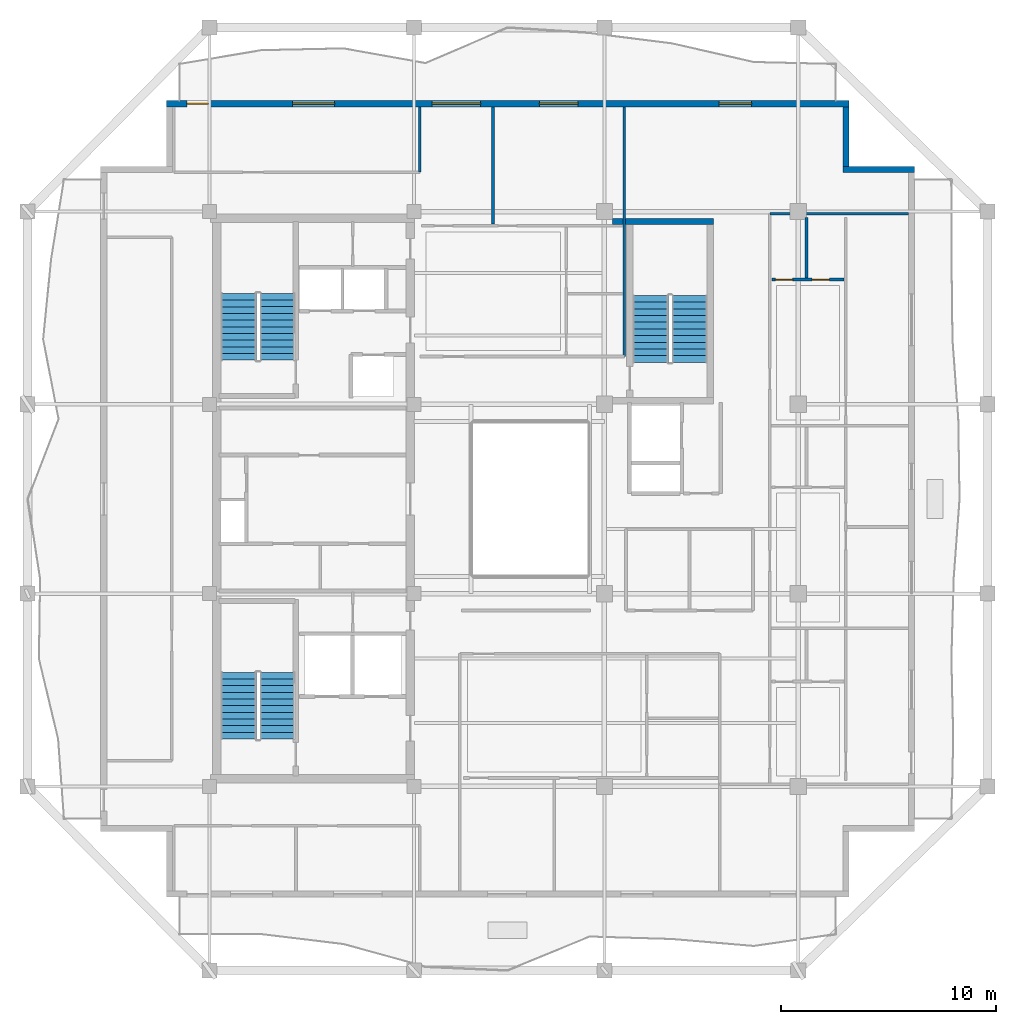
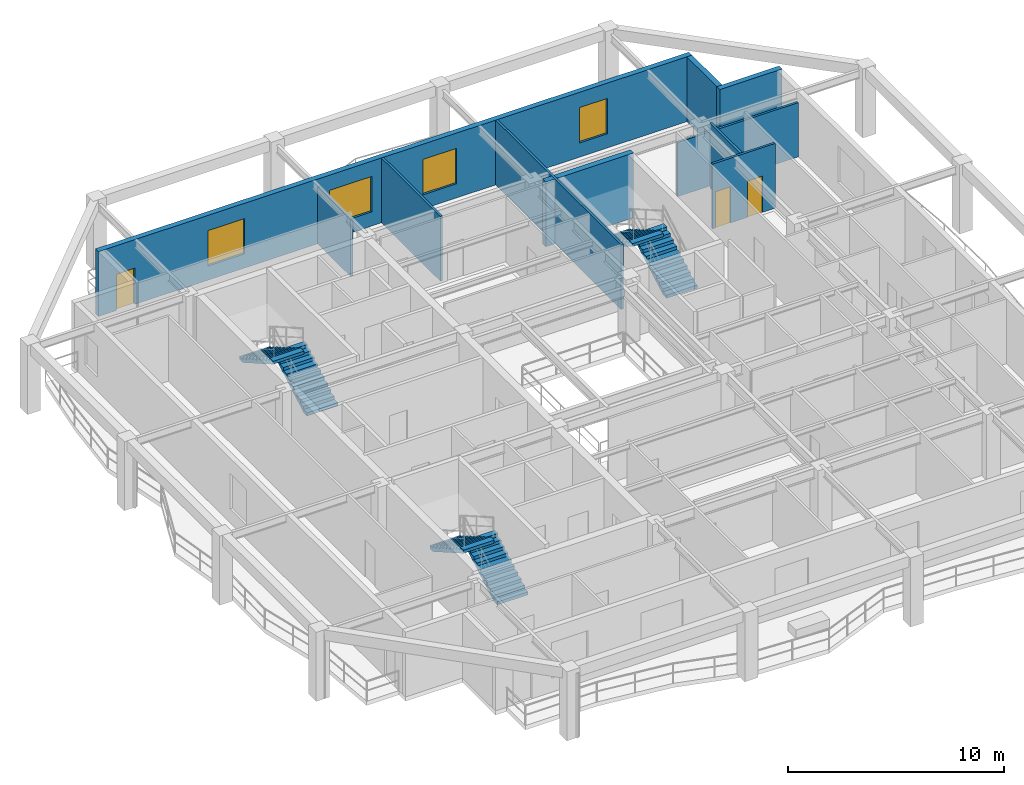
# One storey, part 6 of 10: 10 walls, 6 stair flights, 4 windows, 3 doors, 7 openings, 3 elements without a shape of their own.
"""IFC4 building model written with IfcOpenShell, lengths in metres."""

from ifc_helpers import new_model, si_unit, direction, frame, frame_2d, origin, place, context, subcontext, project, spatial, polyline, rectangle, outline, extrude, material, layer, layer_set, type_object, element, fill, aggregate, save


model = new_model("IFC4")

# Units and contexts
model_context = context("Model", 3, precision=1e-05, world=origin(), true_north=direction((0.0, 1.0)))
body_context = subcontext(model_context, "Body", "Model", "MODEL_VIEW")
ifc_project = project(units=[si_unit("LENGTHUNIT", "METRE"), si_unit("AREAUNIT", "SQUARE_METRE"), si_unit("VOLUMEUNIT", "CUBIC_METRE"), si_unit("PLANEANGLEUNIT", "RADIAN"), si_unit("MASSUNIT", "GRAM", prefix="KILO")], contexts=[model_context])

# Site, building, storey
site_placement = place(None, origin())
site = spatial("IfcSite", under=ifc_project, at=site_placement, CompositionType="ELEMENT")
building_placement = place(site_placement, origin())
building = spatial("IfcBuilding", under=site, at=building_placement, Name="Kundavana Baori Tower", CompositionType="ELEMENT")
storey_placement = place(building_placement, frame((0.0, 0.0, 284.300048828125)))
storey = spatial("IfcBuildingStorey", under=building, at=storey_placement, Name="L70", CompositionType="ELEMENT", Elevation=284.300048828125)

# Walls
ifc_material_1 = material(Name="Red-Buff Dholpur Sandstone Cladding on Concrete C40/50", Category="masonry")
ifc_layer_1 = layer(ifc_material_1, 0.280029296875, Name="WL-EXT-SAND-280")
ifc_layer_set_1 = layer_set([ifc_layer_1], Name="Red-Buff Dholpur Sandstone Cladding on Concrete C40/50")
wall_type_1 = type_object("IfcWallType", Name="WL-EXT-SAND-280", PredefinedType="STANDARD", material=ifc_layer_set_1)
wall_1_placement = place(storey_placement, frame((48.199951171875, 43.909912109375, 0.0), z_axis=(0.0, 0.0, 1.0), x_axis=(-1.0, 0.0, 0.0)))
element("IfcWall", 1, at=wall_1_placement, inside=storey, type_object=wall_type_1, Name="L70 Exterior Insulated Facade Wall 05", PredefinedType="STANDARD", context=body_context, shape_type="SweptSolid", body=[
    extrude(rectangle(XDim=3.329833984375, YDim=0.280029296875, at=frame_2d((1.6650390625, 0.0))), origin(), (0.0, 0.0, 1.0), 3.659912109375),
])
wall_2_placement = place(storey_placement, frame((45.010009765625, 44.050048828125, 0.0), z_axis=(0.0, 0.0, 1.0), x_axis=(0.0, 1.0, 0.0)))
element("IfcWall", 2, at=wall_2_placement, inside=storey, type_object=wall_type_1, Name="L70 Exterior Insulated Facade Wall 06", PredefinedType="STANDARD", context=body_context, shape_type="SweptSolid", body=[
    extrude(rectangle(XDim=2.77001953125, YDim=0.280029296875, at=frame_2d((1.385009765625, 0.0))), origin(), (0.0, 0.0, 1.0), 3.659912109375),
])

# Wall, openings, door, windows
wall_3_placement = place(storey_placement, frame((45.14990234375, 46.9599609375, 0.0), z_axis=(0.0, 0.0, 1.0), x_axis=(-1.0, 0.0, 0.0)))
wall_3 = element("IfcWall", 3, at=wall_3_placement, inside=storey, type_object=wall_type_1, Name="L70 Exterior Insulated Facade Wall 07", PredefinedType="STANDARD", context=body_context, shape_type="SweptSolid", body=[
    extrude(rectangle(XDim=31.699951171875, YDim=0.280029296875, at=frame_2d((15.85009765625, 0.0))), origin(), (0.0, 0.0, 1.0), 3.659912109375),
])
opening_1_placement = place(wall_3_placement, frame((29.75, 0.0, 0.0)))
opening_1 = element("IfcOpeningElement", 4, at=opening_1_placement, cuts=wall_3, Name="Opening BD-1", PredefinedType="OPENING", context=body_context, shape_type="SweptSolid", body=[
    extrude(rectangle(XDim=1.0, YDim=2.050048828125, at=frame_2d((0.5, 1.02490234375))), frame((0.0, 0.14990234375, 0.0), z_axis=(0.0, -1.0, 0.0), x_axis=(1.0, 0.0, 0.0)), (0.0, 0.0, 1.0), 0.300048828125),
])
opening_2_placement = place(wall_3_placement, frame((23.889892578125, 0.0, 0.800048828125)))
opening_2 = element("IfcOpeningElement", 5, at=opening_2_placement, cuts=wall_3, Name="Opening W-09", PredefinedType="OPENING", context=body_context, shape_type="SweptSolid", body=[
    extrude(rectangle(XDim=1.949951171875, YDim=2.0, at=frame_2d((0.97509765625, 1.0))), frame((0.0, 0.14990234375, 0.0), z_axis=(0.0, -1.0, 0.0), x_axis=(1.0, 0.0, 0.0)), (0.0, 0.0, 1.0), 0.300048828125),
])
opening_3_placement = place(wall_3_placement, frame((17.10302734375, 0.0, 0.800048828125)))
opening_3 = element("IfcOpeningElement", 6, at=opening_3_placement, cuts=wall_3, Name="Opening W-10", PredefinedType="OPENING", context=body_context, shape_type="SweptSolid", body=[
    extrude(rectangle(XDim=2.25, YDim=2.0, at=frame_2d((1.125, 1.0))), frame((0.0, 0.14990234375, 0.0), z_axis=(0.0, -1.0, 0.0), x_axis=(1.0, 0.0, 0.0)), (0.0, 0.0, 1.0), 0.300048828125),
])
opening_4_placement = place(wall_3_placement, frame((12.577880859375, 0.0, 0.800048828125)))
opening_4 = element("IfcOpeningElement", 7, at=opening_4_placement, cuts=wall_3, Name="Opening W-01", PredefinedType="OPENING", context=body_context, shape_type="SweptSolid", body=[
    extrude(rectangle(XDim=1.800048828125, YDim=2.0, at=frame_2d((0.89990234375, 1.0))), frame((0.0, 0.14990234375, 0.0), z_axis=(0.0, -1.0, 0.0), x_axis=(1.0, 0.0, 0.0)), (0.0, 0.0, 1.0), 0.300048828125),
])
opening_5_placement = place(wall_3_placement, frame((4.52001953125, 0.0, 0.800048828125)))
opening_5 = element("IfcOpeningElement", 8, at=opening_5_placement, cuts=wall_3, Name="Opening W-02", PredefinedType="OPENING", context=body_context, shape_type="SweptSolid", body=[
    extrude(rectangle(XDim=1.5, YDim=2.0, at=frame_2d((0.75, 1.0))), frame((0.0, 0.14990234375, 0.0), z_axis=(0.0, -1.0, 0.0), x_axis=(1.0, 0.0, 0.0)), (0.0, 0.0, 1.0), 0.300048828125),
])
ifc_material_2 = material(Name="Architectural Patinated Bronze Metalwork")
door_type_1 = type_object("IfcDoorType", Name="DR-EXT-LOG-1000", OperationType="NOTDEFINED", PredefinedType="DOOR", material=ifc_material_2)
door_1_placement = place(opening_1_placement, frame((1.0, 0.0, 0.0), z_axis=(0.0, 0.0, 1.0), x_axis=(-1.0, 0.0, 0.0)))
door_1 = element("IfcDoor", 9, at=door_1_placement, inside=storey, type_object=door_type_1, Name="L70 Loggia Balcony Access Door N", OperationType="SINGLE_SWING_LEFT", OverallHeight=2.050048828125, OverallWidth=1.0, PredefinedType="DOOR", context=body_context, shape_type="SweptSolid", body=[
    extrude(rectangle(XDim=1.0, YDim=2.050048828125, at=frame_2d((0.5, 1.02490234375))), frame((0.0, 0.02490234375, 0.0), z_axis=(0.0, -1.0, 0.0), x_axis=(1.0, 0.0, 0.0)), (0.0, 0.0, 1.0), 0.050048828125),
])
fill(opening_1, door_1)
ifc_material_3 = material(Name="Double-Glazed Solar-Control Low-E Insulated Glass", Category="glass")
window_type_1 = type_object("IfcWindowType", Name="WIN-LOG-1500x2000", PartitioningType="SINGLE_PANEL", PredefinedType="WINDOW", material=ifc_material_3)
window_1_placement = place(opening_5_placement, origin())
window_1 = element("IfcWindow", 10, at=window_1_placement, inside=storey, type_object=window_type_1, Name="L70 Recessed Loggia Window N-4", OverallHeight=2.0, OverallWidth=1.5, PartitioningType="SINGLE_PANEL", PredefinedType="WINDOW", context=body_context, shape_type="SweptSolid", body=[
    extrude(rectangle(XDim=1.5, YDim=2.0, at=frame_2d((0.75, 1.0))), frame((0.0, 0.030029296875, 0.0), z_axis=(0.0, -1.0, 0.0), x_axis=(1.0, 0.0, 0.0)), (0.0, 0.0, 1.0), 0.06005859375),
])
fill(opening_5, window_1)
ifc_material_4 = material(Name="Double-Glazed Solar-Control Low-E Insulated Glass", Category="glass")
window_type_2 = type_object("IfcWindowType", Name="WIN-LOG-1800x2000", PartitioningType="SINGLE_PANEL", PredefinedType="WINDOW", material=ifc_material_4)
window_2_placement = place(opening_4_placement, origin())
window_2 = element("IfcWindow", 11, at=window_2_placement, inside=storey, type_object=window_type_2, Name="L70 Recessed Loggia Window N-3", OverallHeight=2.0, OverallWidth=1.800048828125, PartitioningType="SINGLE_PANEL", PredefinedType="WINDOW", context=body_context, shape_type="SweptSolid", body=[
    extrude(rectangle(XDim=1.800048828125, YDim=2.0, at=frame_2d((0.89990234375, 1.0))), frame((0.0, 0.030029296875, 0.0), z_axis=(0.0, -1.0, 0.0), x_axis=(1.0, 0.0, 0.0)), (0.0, 0.0, 1.0), 0.06005859375),
])
fill(opening_4, window_2)
ifc_material_5 = material(Name="Double-Glazed Solar-Control Low-E Insulated Glass", Category="glass")
window_type_3 = type_object("IfcWindowType", Name="WIN-LOG-1950x2000", PartitioningType="SINGLE_PANEL", PredefinedType="WINDOW", material=ifc_material_5)
window_3_placement = place(opening_2_placement, origin())
window_3 = element("IfcWindow", 12, at=window_3_placement, inside=storey, type_object=window_type_3, Name="L70 Recessed Loggia Window N-1", OverallHeight=2.0, OverallWidth=1.949951171875, PartitioningType="SINGLE_PANEL", PredefinedType="WINDOW", context=body_context, shape_type="SweptSolid", body=[
    extrude(rectangle(XDim=1.949951171875, YDim=2.0, at=frame_2d((0.97509765625, 1.0))), frame((0.0, 0.030029296875, 0.0), z_axis=(0.0, -1.0, 0.0), x_axis=(1.0, 0.0, 0.0)), (0.0, 0.0, 1.0), 0.06005859375),
])
fill(opening_2, window_3)
ifc_material_6 = material(Name="Double-Glazed Solar-Control Low-E Insulated Glass", Category="glass")
window_type_4 = type_object("IfcWindowType", Name="WIN-LOG-2250x2000", PartitioningType="SINGLE_PANEL", PredefinedType="WINDOW", material=ifc_material_6)
window_4_placement = place(opening_3_placement, origin())
window_4 = element("IfcWindow", 13, at=window_4_placement, inside=storey, type_object=window_type_4, Name="L70 Recessed Loggia Window N-2", OverallHeight=2.0, OverallWidth=2.25, PartitioningType="SINGLE_PANEL", PredefinedType="WINDOW", context=body_context, shape_type="SweptSolid", body=[
    extrude(rectangle(XDim=2.25, YDim=2.0, at=frame_2d((1.125, 1.0))), frame((0.0, 0.030029296875, 0.0), z_axis=(0.0, -1.0, 0.0), x_axis=(1.0, 0.0, 0.0)), (0.0, 0.0, 1.0), 0.06005859375),
])
fill(opening_3, window_4)

# Walls
ifc_material_7 = material(Name="Acoustic Gypsum Plasterboard on Galvanised Steel Studs", Category="steel")
ifc_layer_2 = layer(ifc_material_7, 0.1201171875, Name="WL-PART-120")
ifc_layer_set_2 = layer_set([ifc_layer_2], Name="Acoustic Gypsum Plasterboard on Galvanised Steel Studs")
wall_type_2 = type_object("IfcWallType", Name="WL-PART-120", PredefinedType="PARTITIONING", material=ifc_layer_set_2)
wall_4_placement = place(storey_placement, frame((25.219970703125, 43.780029296875, 0.0), z_axis=(0.0, 0.0, 1.0), x_axis=(0.0, 1.0, 0.0)))
element("IfcWall", 14, at=wall_4_placement, inside=storey, type_object=wall_type_2, Name="WL-L70-RNCE", PredefinedType="PARTITIONING", context=body_context, shape_type="SweptSolid", body=[
    extrude(rectangle(XDim=3.0400390625, YDim=0.1201171875, at=frame_2d((1.52001953125, 0.0))), origin(), (0.0, 0.0, 1.0), 3.2099609375),
])
wall_5_placement = place(storey_placement, frame((34.719970703125, 35.219970703125, 0.0), z_axis=(0.0, 0.0, 1.0), x_axis=(0.0, 1.0, 0.0)))
element("IfcWall", 15, at=wall_5_placement, inside=storey, type_object=wall_type_2, Name="WL-L70-RNEND", PredefinedType="PARTITIONING", context=body_context, shape_type="SweptSolid", body=[
    extrude(rectangle(XDim=11.60009765625, YDim=0.1201171875, at=frame_2d((5.800048828125, 0.0))), origin(), (0.0, 0.0, 1.0), 3.659912109375),
])
wall_6_placement = place(storey_placement, frame((28.623046875, 41.3701171875, 0.0), z_axis=(0.0, 0.0, 1.0), x_axis=(0.0, 1.0, 0.0)))
element("IfcWall", 16, at=wall_6_placement, inside=storey, type_object=wall_type_2, Name="WL-L70-N1-BDV", PredefinedType="PARTITIONING", context=body_context, shape_type="SweptSolid", body=[
    extrude(rectangle(XDim=5.449951171875, YDim=0.1201171875, at=frame_2d((2.72509765625, 0.0))), origin(), (0.0, 0.0, 1.0), 3.659912109375),
])
wall_7_placement = place(storey_placement, frame((41.47998046875, 41.85009765625, 0.0), z_axis=(0.0, 0.0, 1.0), x_axis=(1.0, 0.0, 0.0)))
element("IfcWall", 17, at=wall_7_placement, inside=storey, type_object=wall_type_2, Name="WL-L70-REN", PredefinedType="PARTITIONING", context=body_context, shape_type="SweptSolid", body=[
    extrude(rectangle(XDim=6.43994140625, YDim=0.1201171875, at=frame_2d((3.219970703125, 0.0))), origin(), (0.0, 0.0, 1.0), 3.06005859375),
])
ifc_material_8 = material(Name="Concrete C50/60", Category="concrete")
ifc_layer_3 = layer(ifc_material_8, 0.300048828125, Name="WL-ST3-300")
ifc_layer_set_3 = layer_set([ifc_layer_3], Name="Concrete C50/60")
wall_type_3 = type_object("IfcWallType", Name="WL-ST3-300", PredefinedType="SHEAR", material=ifc_layer_set_3)
wall_8_placement = place(storey_placement, frame((34.175048828125, 41.489990234375, 0.0), z_axis=(0.0, 0.0, 1.0), x_axis=(1.0, 0.0, 0.0)))
element("IfcWall", 18, at=wall_8_placement, inside=storey, type_object=wall_type_3, Name="L70 Stair ST3 North Shear Wall", PredefinedType="SHEAR", context=body_context, shape_type="SweptSolid", body=[
    extrude(rectangle(XDim=4.695068359375, YDim=0.300048828125, at=frame_2d((2.34765625, 0.0))), origin(), (0.0, 0.0, 1.0), 3.659912109375),
])

# Wall, openings, doors
ifc_material_9 = material(Name="Autoclaved Aerated Concrete Blockwork Masonry", Category="masonry")
ifc_layer_4 = layer(ifc_material_9, 0.125, Name="WL-WET-120")
ifc_layer_set_4 = layer_set([ifc_layer_4], Name="Autoclaved Aerated Concrete Blockwork Masonry")
wall_type_4 = type_object("IfcWallType", Name="WL-WET-120", PredefinedType="PLUMBINGWALL", material=ifc_layer_set_4)
wall_9_placement = place(storey_placement, frame((41.580078125, 38.79296875, 0.0), z_axis=(0.0, 0.0, 1.0), x_axis=(1.0, 0.0, 0.0)))
wall_9 = element("IfcWall", 19, at=wall_9_placement, inside=storey, type_object=wall_type_4, Name="WL-L70-E3-KH", PredefinedType="PLUMBINGWALL", context=body_context, shape_type="SweptSolid", body=[
    extrude(rectangle(XDim=3.343994140625, YDim=0.125, at=frame_2d((1.671875, 0.0))), origin(), (0.0, 0.0, 1.0), 3.659912109375),
])
opening_6_placement = place(wall_9_placement, frame((0.159912109375, 0.0, 0.0)))
opening_6 = element("IfcOpeningElement", 20, at=opening_6_placement, cuts=wall_9, Name="Opening WD-080", PredefinedType="OPENING", context=body_context, shape_type="SweptSolid", body=[
    extrude(rectangle(XDim=0.800048828125, YDim=2.050048828125, at=frame_2d((0.39990234375, 1.02490234375))), frame((0.0, 0.072509765625, 0.0), z_axis=(0.0, -1.0, 0.0), x_axis=(1.0, 0.0, 0.0)), (0.0, 0.0, 1.0), 0.14501953125),
])
opening_7_placement = place(wall_9_placement, frame((1.864990234375, 0.0, 0.0)))
opening_7 = element("IfcOpeningElement", 21, at=opening_7_placement, cuts=wall_9, Name="Opening WD-080", PredefinedType="OPENING", context=body_context, shape_type="SweptSolid", body=[
    extrude(rectangle(XDim=0.800048828125, YDim=2.050048828125, at=frame_2d((0.39990234375, 1.02490234375))), frame((0.0, 0.072509765625, 0.0), z_axis=(0.0, -1.0, 0.0), x_axis=(1.0, 0.0, 0.0)), (0.0, 0.0, 1.0), 0.14501953125),
])
ifc_material_10 = material(Name="Engineered Teak Solid-Core Timber Veneer", Category="wood")
door_type_2 = type_object("IfcDoorType", Name="DR-WET-800", OperationType="NOTDEFINED", PredefinedType="DOOR", material=ifc_material_10)
door_2_placement = place(opening_6_placement, origin())
door_2 = element("IfcDoor", 22, at=door_2_placement, inside=storey, type_object=door_type_2, Name="DR-L70-E3-BT", OperationType="SINGLE_SWING_LEFT", OverallHeight=2.050048828125, OverallWidth=0.800048828125, PredefinedType="DOOR", context=body_context, shape_type="SweptSolid", body=[
    extrude(rectangle(XDim=0.800048828125, YDim=2.050048828125, at=frame_2d((0.39990234375, 1.02490234375))), frame((0.0, 0.02490234375, 0.0), z_axis=(0.0, -1.0, 0.0), x_axis=(1.0, 0.0, 0.0)), (0.0, 0.0, 1.0), 0.050048828125),
])
fill(opening_6, door_2)
door_3_placement = place(opening_7_placement, origin())
door_3 = element("IfcDoor", 23, at=door_3_placement, inside=storey, type_object=door_type_2, Name="DR-L70-E3-KT", OperationType="SINGLE_SWING_RIGHT", OverallHeight=2.050048828125, OverallWidth=0.800048828125, PredefinedType="DOOR", context=body_context, shape_type="SweptSolid", body=[
    extrude(rectangle(XDim=0.800048828125, YDim=2.050048828125, at=frame_2d((0.39990234375, 1.02490234375))), frame((0.0, 0.02490234375, 0.0), z_axis=(0.0, -1.0, 0.0), x_axis=(1.0, 0.0, 0.0)), (0.0, 0.0, 1.0), 0.050048828125),
])
fill(opening_7, door_3)

# Wall
wall_10_placement = place(storey_placement, frame((43.18505859375, 38.873046875, 0.0), z_axis=(0.0, 0.0, 1.0), x_axis=(0.0, 1.0, 0.0)))
element("IfcWall", 24, at=wall_10_placement, inside=storey, type_object=wall_type_4, Name="WL-L70-E3-BV", PredefinedType="PLUMBINGWALL", context=body_context, shape_type="SweptSolid", body=[
    extrude(rectangle(XDim=2.796875, YDim=0.125, at=frame_2d((1.3984375, 0.0))), origin(), (0.0, 0.0, 1.0), 3.659912109375),
])

# Stair, stair flights
ifc_material_11 = material(Name="Concrete C40/50", Category="concrete")
stair_type = type_object("IfcStairType", Name="STR-DOG-1650", PredefinedType="HALF_TURN_STAIR", material=ifc_material_11)
stair_1_placement = place(storey_placement, origin())
stair_1 = element("IfcStair", 25, at=stair_1_placement, inside=storey, type_object=stair_type, Name="L70 Protected Exit Stair ST1", PredefinedType="HALF_TURN_STAIR")
ifc_material_12 = material(Name="Concrete C40/50", Category="concrete")
stair_flight_type = type_object("IfcStairFlightType", Name="SFL-RC-1650", PredefinedType="STRAIGHT", material=ifc_material_12)
stair_flight_1_placement = place(storey_placement, frame((18.614990234375, 17.449951171875, 0.0), z_axis=(0.0, 0.0, 1.0), x_axis=(0.0, 1.0, 0.0)))
stair_flight_1 = element("IfcStairFlight", 26, at=stair_flight_1_placement, type_object=stair_flight_type, Name="ST1 flight 1", NumberOfRisers=11, NumberOfTreads=10, PredefinedType="STRAIGHT", RiserHeight=0.177272727, TreadLength=0.31, context=body_context, shape_type="SweptSolid", body=[
    extrude(outline(polyline([(0.0, 0.0), (0.0, 0.17724609375), (0.31005859375, 0.17724609375), (0.31005859375, 0.3544921875), (0.6201171875, 0.3544921875), (0.6201171875, 0.53173828125), (0.929931640625, 0.53173828125), (0.929931640625, 0.708984375), (1.239990234375, 0.708984375), (1.239990234375, 0.886474609375), (1.550048828125, 0.886474609375), (1.550048828125, 1.063720703125), (1.860107421875, 1.063720703125), (1.860107421875, 1.240966796875), (2.169921875, 1.240966796875), (2.169921875, 1.418212890625), (2.47998046875, 1.418212890625), (2.47998046875, 1.595458984375), (2.7900390625, 1.595458984375), (2.7900390625, 1.772705078125), (3.10009765625, 1.772705078125), (3.10009765625, 1.949951171875), (3.10009765625, 1.60009765625), (0.302001953125, 0.0), (0.0, 0.0)])), frame((0.0, 0.824951171875, 0.0), z_axis=(0.0, -1.0, 0.0), x_axis=(1.0, 0.0, 0.0)), (0.0, 0.0, 1.0), 1.64990234375),
])
stair_flight_2_placement = place(storey_placement, frame((16.804931640625, 20.550048828125, 1.949951171875), z_axis=(0.0, 0.0, 1.0), x_axis=(0.0, -1.0, 0.0)))
stair_flight_2 = element("IfcStairFlight", 27, at=stair_flight_2_placement, type_object=stair_flight_type, Name="ST1 flight 2", NumberOfRisers=11, NumberOfTreads=10, PredefinedType="STRAIGHT", RiserHeight=0.177272727, TreadLength=0.31, context=body_context, shape_type="SweptSolid", body=[
    extrude(outline(polyline([(0.0, 0.0), (0.0, 0.17724609375), (0.31005859375, 0.17724609375), (0.31005859375, 0.3544921875), (0.6201171875, 0.3544921875), (0.6201171875, 0.53173828125), (0.929931640625, 0.53173828125), (0.929931640625, 0.708984375), (1.239990234375, 0.708984375), (1.239990234375, 0.886474609375), (1.550048828125, 0.886474609375), (1.550048828125, 1.063720703125), (1.860107421875, 1.063720703125), (1.860107421875, 1.240966796875), (2.169921875, 1.240966796875), (2.169921875, 1.418212890625), (2.47998046875, 1.418212890625), (2.47998046875, 1.595458984375), (2.7900390625, 1.595458984375), (2.7900390625, 1.772705078125), (3.10009765625, 1.772705078125), (3.10009765625, 1.949951171875), (3.10009765625, 1.60009765625), (0.302001953125, 0.0), (0.0, 0.0)])), frame((0.0, 0.824951171875, 0.0), z_axis=(0.0, -1.0, 0.0), x_axis=(1.0, 0.0, 0.0)), (0.0, 0.0, 1.0), 1.64990234375),
])
aggregate(stair_1, [stair_flight_1, stair_flight_2])

stair_2_placement = place(storey_placement, origin())
stair_2 = element("IfcStair", 28, at=stair_2_placement, inside=storey, type_object=stair_type, Name="L70 Protected Exit Stair ST2", PredefinedType="HALF_TURN_STAIR")
stair_flight_3_placement = place(storey_placement, frame((18.614990234375, 35.050048828125, 0.0), z_axis=(0.0, 0.0, 1.0), x_axis=(0.0, 1.0, 0.0)))
stair_flight_3 = element("IfcStairFlight", 29, at=stair_flight_3_placement, type_object=stair_flight_type, Name="ST2 flight 1", NumberOfRisers=11, NumberOfTreads=10, PredefinedType="STRAIGHT", RiserHeight=0.177272727, TreadLength=0.31, context=body_context, shape_type="SweptSolid", body=[
    extrude(outline(polyline([(0.0, 0.0), (0.0, 0.17724609375), (0.31005859375, 0.17724609375), (0.31005859375, 0.3544921875), (0.6201171875, 0.3544921875), (0.6201171875, 0.53173828125), (0.929931640625, 0.53173828125), (0.929931640625, 0.708984375), (1.239990234375, 0.708984375), (1.239990234375, 0.886474609375), (1.550048828125, 0.886474609375), (1.550048828125, 1.063720703125), (1.860107421875, 1.063720703125), (1.860107421875, 1.240966796875), (2.169921875, 1.240966796875), (2.169921875, 1.418212890625), (2.47998046875, 1.418212890625), (2.47998046875, 1.595458984375), (2.7900390625, 1.595458984375), (2.7900390625, 1.772705078125), (3.10009765625, 1.772705078125), (3.10009765625, 1.949951171875), (3.10009765625, 1.60009765625), (0.302001953125, 0.0), (0.0, 0.0)])), frame((0.0, 0.824951171875, 0.0), z_axis=(0.0, -1.0, 0.0), x_axis=(1.0, 0.0, 0.0)), (0.0, 0.0, 1.0), 1.64990234375),
])
stair_flight_4_placement = place(storey_placement, frame((16.804931640625, 38.14990234375, 1.949951171875), z_axis=(0.0, 0.0, 1.0), x_axis=(0.0, -1.0, 0.0)))
stair_flight_4 = element("IfcStairFlight", 30, at=stair_flight_4_placement, type_object=stair_flight_type, Name="ST2 flight 2", NumberOfRisers=11, NumberOfTreads=10, PredefinedType="STRAIGHT", RiserHeight=0.177272727, TreadLength=0.31, context=body_context, shape_type="SweptSolid", body=[
    extrude(outline(polyline([(0.0, 0.0), (0.0, 0.17724609375), (0.31005859375, 0.17724609375), (0.31005859375, 0.3544921875), (0.6201171875, 0.3544921875), (0.6201171875, 0.53173828125), (0.929931640625, 0.53173828125), (0.929931640625, 0.708984375), (1.239990234375, 0.708984375), (1.239990234375, 0.886474609375), (1.550048828125, 0.886474609375), (1.550048828125, 1.063720703125), (1.860107421875, 1.063720703125), (1.860107421875, 1.240966796875), (2.169921875, 1.240966796875), (2.169921875, 1.418212890625), (2.47998046875, 1.418212890625), (2.47998046875, 1.595458984375), (2.7900390625, 1.595458984375), (2.7900390625, 1.772705078125), (3.10009765625, 1.772705078125), (3.10009765625, 1.949951171875), (3.10009765625, 1.60009765625), (0.302001953125, 0.0), (0.0, 0.0)])), frame((0.0, 0.824951171875, 0.0), z_axis=(0.0, -1.0, 0.0), x_axis=(1.0, 0.0, 0.0)), (0.0, 0.0, 1.0), 1.64990234375),
])
aggregate(stair_2, [stair_flight_3, stair_flight_4])

stair_3_placement = place(storey_placement, origin())
stair_3 = element("IfcStair", 31, at=stair_3_placement, inside=storey, type_object=stair_type, Name="L70 Protected Exit Stair ST3", PredefinedType="HALF_TURN_STAIR")
stair_flight_5_placement = place(storey_placement, frame((37.7548828125, 34.949951171875, 0.0), z_axis=(0.0, 0.0, 1.0), x_axis=(0.0, 1.0, 0.0)))
stair_flight_5 = element("IfcStairFlight", 32, at=stair_flight_5_placement, type_object=stair_flight_type, Name="ST3 flight 1", NumberOfRisers=11, NumberOfTreads=10, PredefinedType="STRAIGHT", RiserHeight=0.177272727, TreadLength=0.31, context=body_context, shape_type="SweptSolid", body=[
    extrude(outline(polyline([(0.0, 0.0), (0.0, 0.17724609375), (0.31005859375, 0.17724609375), (0.31005859375, 0.3544921875), (0.6201171875, 0.3544921875), (0.6201171875, 0.53173828125), (0.929931640625, 0.53173828125), (0.929931640625, 0.708984375), (1.239990234375, 0.708984375), (1.239990234375, 0.886474609375), (1.550048828125, 0.886474609375), (1.550048828125, 1.063720703125), (1.860107421875, 1.063720703125), (1.860107421875, 1.240966796875), (2.169921875, 1.240966796875), (2.169921875, 1.418212890625), (2.47998046875, 1.418212890625), (2.47998046875, 1.595458984375), (2.7900390625, 1.595458984375), (2.7900390625, 1.772705078125), (3.10009765625, 1.772705078125), (3.10009765625, 1.949951171875), (3.10009765625, 1.60009765625), (0.302001953125, 0.0), (0.0, 0.0)])), frame((0.0, 0.824951171875, 0.0), z_axis=(0.0, -1.0, 0.0), x_axis=(1.0, 0.0, 0.0)), (0.0, 0.0, 1.0), 1.64990234375),
])
stair_flight_6_placement = place(storey_placement, frame((35.945068359375, 38.050048828125, 1.949951171875), z_axis=(0.0, 0.0, 1.0), x_axis=(0.0, -1.0, 0.0)))
stair_flight_6 = element("IfcStairFlight", 33, at=stair_flight_6_placement, type_object=stair_flight_type, Name="ST3 flight 2", NumberOfRisers=11, NumberOfTreads=10, PredefinedType="STRAIGHT", RiserHeight=0.177272727, TreadLength=0.31, context=body_context, shape_type="SweptSolid", body=[
    extrude(outline(polyline([(0.0, 0.0), (0.0, 0.17724609375), (0.31005859375, 0.17724609375), (0.31005859375, 0.3544921875), (0.6201171875, 0.3544921875), (0.6201171875, 0.53173828125), (0.929931640625, 0.53173828125), (0.929931640625, 0.708984375), (1.239990234375, 0.708984375), (1.239990234375, 0.886474609375), (1.550048828125, 0.886474609375), (1.550048828125, 1.063720703125), (1.860107421875, 1.063720703125), (1.860107421875, 1.240966796875), (2.169921875, 1.240966796875), (2.169921875, 1.418212890625), (2.47998046875, 1.418212890625), (2.47998046875, 1.595458984375), (2.7900390625, 1.595458984375), (2.7900390625, 1.772705078125), (3.10009765625, 1.772705078125), (3.10009765625, 1.949951171875), (3.10009765625, 1.60009765625), (0.302001953125, 0.0), (0.0, 0.0)])), frame((0.0, 0.824951171875, 0.0), z_axis=(0.0, -1.0, 0.0), x_axis=(1.0, 0.0, 0.0)), (0.0, 0.0, 1.0), 1.64990234375),
])
aggregate(stair_3, [stair_flight_5, stair_flight_6])

save(model, "model.ifc")
